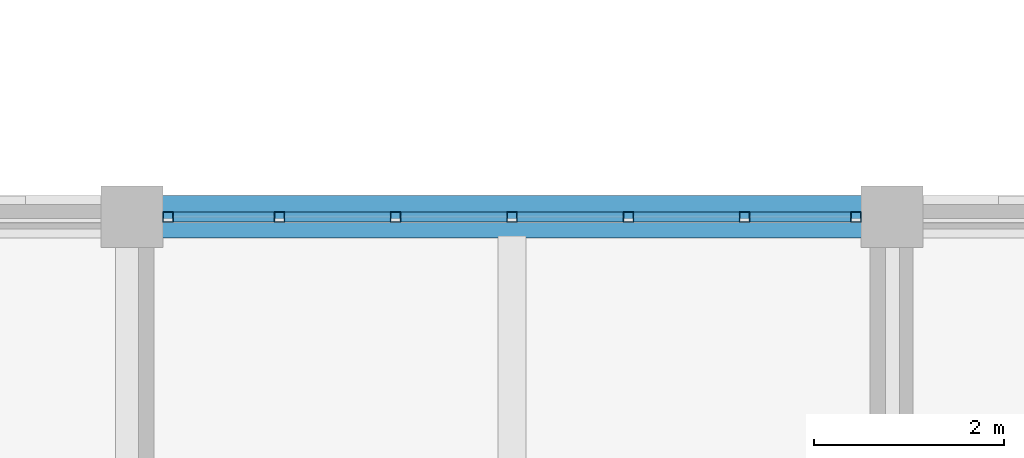
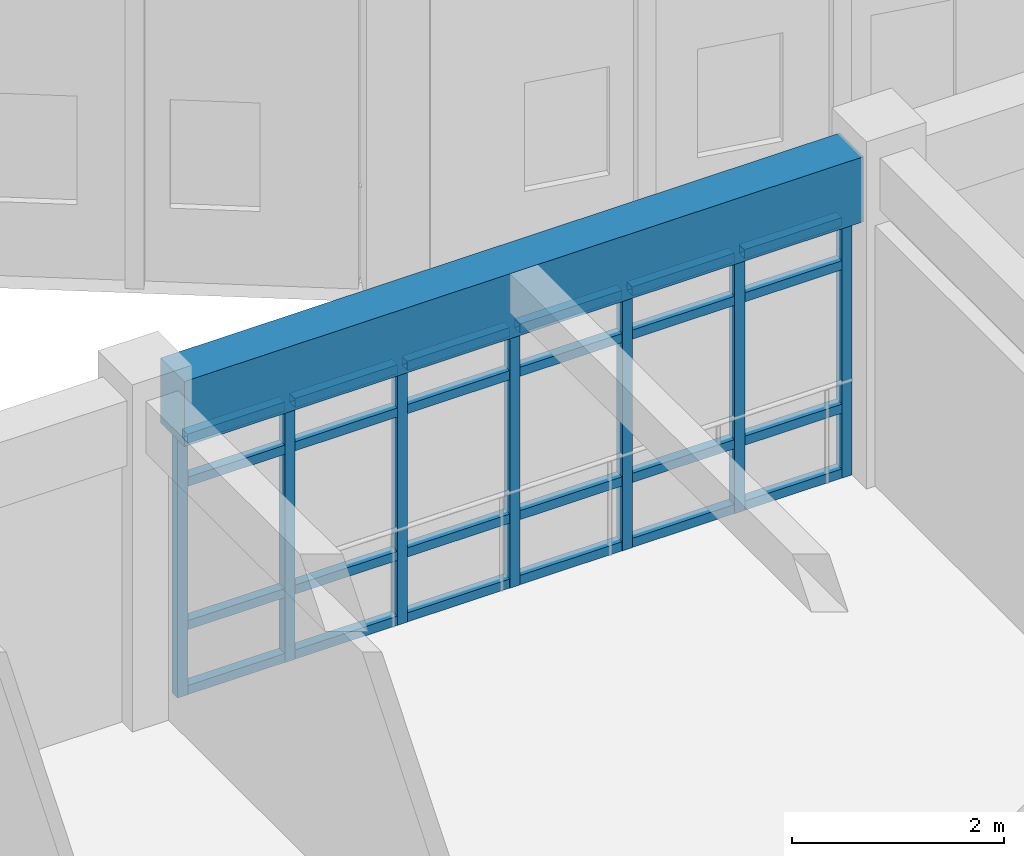
# One storey, part 56 of 149: 31 members, 1 beam, 1 element without a shape of its own.
"""IFC4 building model written with IfcOpenShell, lengths in metres."""

from ifc_helpers import new_model, si_unit, direction, frame, origin, origin_2d, place, context, subcontext, project, spatial, rectangle, hollow_rectangle, extrude, material, material_profile, profile_set, type_object, element, aggregate, save


model = new_model("IFC4")

# Units and contexts
model_context = context("Model", 3, precision=1e-05, world=origin(), true_north=direction((0.0, 1.0)))
body_context = subcontext(model_context, "Body", "Model", "MODEL_VIEW")
ifc_project = project(units=[si_unit("LENGTHUNIT", "METRE"), si_unit("AREAUNIT", "SQUARE_METRE"), si_unit("VOLUMEUNIT", "CUBIC_METRE"), si_unit("PLANEANGLEUNIT", "RADIAN"), si_unit("MASSUNIT", "GRAM", prefix="KILO")], contexts=[model_context])

# Site, building, storey
site_placement = place(None, origin())
site = spatial("IfcSite", under=ifc_project, at=site_placement, CompositionType="ELEMENT")
building_placement = place(site_placement, origin())
building = spatial("IfcBuilding", under=site, at=building_placement, Name="Celadon Cloister-Ring School", CompositionType="ELEMENT")
storey_placement = place(building_placement, frame((0.0, 0.0, 12.5)))
storey = spatial("IfcBuildingStorey", under=building, at=storey_placement, Name="L03", CompositionType="ELEMENT", Elevation=12.5)

# Curtain wall, members
ifc_material_1 = material(Name="Aluminium EN AW-6063 T6", Category="aluminium")
curtain_wall_type = type_object("IfcCurtainWallType", Name="CW-15", PredefinedType="USERDEFINED", material=ifc_material_1)
curtain_wall_placement = place(storey_placement, origin())
curtain_wall = element("IfcCurtainWall", 1, at=curtain_wall_placement, inside=storey, type_object=curtain_wall_type, Name="Curtain Wall 0203", ObjectType="CURTAIN WALL", PredefinedType="USERDEFINED")
ifc_material_2 = material(Name="Aluminium EN AW-6063 T6", Category="aluminium")
ifc_material_profile_1 = material_profile(ifc_material_2, hollow_rectangle(XDim=0.110107421875, YDim=0.110107421875, WallThickness=0.0048828125, at=origin_2d()), Name="RHS110X110X5")
ifc_profile_set_1 = profile_set([ifc_material_profile_1], Name="Aluminium EN AW-6063 T6")
member_type_1 = type_object("IfcMemberType", Name="CM-01", PredefinedType="MULLION", material=ifc_profile_set_1)
member_1_placement = place(storey_placement, frame((8.3798828125, 76.0, 0.0), z_axis=(0.0, 0.0, 1.0), x_axis=(0.0, 1.0, 0.0)))
member_1 = element("IfcMember", 2, at=member_1_placement, type_object=member_type_1, Name="CW-15 mullion 1", PredefinedType="MULLION", context=body_context, shape_type="SweptSolid", body=[
    extrude(hollow_rectangle(XDim=0.110107421875, YDim=0.110107421875, WallThickness=0.0048828125, at=origin_2d()), origin(), (0.0, 0.0, 1.0), 3.001953125),
])
member_2_placement = place(storey_placement, frame((9.550048828125, 76.0, 0.0), z_axis=(0.0, 0.0, 1.0), x_axis=(0.0, 1.0, 0.0)))
member_2 = element("IfcMember", 3, at=member_2_placement, type_object=member_type_1, Name="CW-15 mullion 2", PredefinedType="MULLION", context=body_context, shape_type="SweptSolid", body=[
    extrude(hollow_rectangle(XDim=0.110107421875, YDim=0.110107421875, WallThickness=0.0048828125, at=origin_2d()), origin(), (0.0, 0.0, 1.0), 3.001953125),
])
member_3_placement = place(storey_placement, frame((10.77490234375, 76.0, 0.0), z_axis=(0.0, 0.0, 1.0), x_axis=(0.0, 1.0, 0.0)))
member_3 = element("IfcMember", 4, at=member_3_placement, type_object=member_type_1, Name="CW-15 mullion 3", PredefinedType="MULLION", context=body_context, shape_type="SweptSolid", body=[
    extrude(hollow_rectangle(XDim=0.110107421875, YDim=0.110107421875, WallThickness=0.0048828125, at=origin_2d()), origin(), (0.0, 0.0, 1.0), 3.001953125),
])
member_4_placement = place(storey_placement, frame((12.0, 76.0, 0.0), z_axis=(0.0, 0.0, 1.0), x_axis=(0.0, 1.0, 0.0)))
member_4 = element("IfcMember", 5, at=member_4_placement, type_object=member_type_1, Name="CW-15 mullion 4", PredefinedType="MULLION", context=body_context, shape_type="SweptSolid", body=[
    extrude(hollow_rectangle(XDim=0.110107421875, YDim=0.110107421875, WallThickness=0.0048828125, at=origin_2d()), origin(), (0.0, 0.0, 1.0), 3.001953125),
])
member_5_placement = place(storey_placement, frame((13.22509765625, 76.0, 0.0), z_axis=(0.0, 0.0, 1.0), x_axis=(0.0, 1.0, 0.0)))
member_5 = element("IfcMember", 6, at=member_5_placement, type_object=member_type_1, Name="CW-15 mullion 5", PredefinedType="MULLION", context=body_context, shape_type="SweptSolid", body=[
    extrude(hollow_rectangle(XDim=0.110107421875, YDim=0.110107421875, WallThickness=0.0048828125, at=origin_2d()), origin(), (0.0, 0.0, 1.0), 3.001953125),
])
member_6_placement = place(storey_placement, frame((14.449951171875, 76.0, 0.0), z_axis=(0.0, 0.0, 1.0), x_axis=(0.0, 1.0, 0.0)))
member_6 = element("IfcMember", 7, at=member_6_placement, type_object=member_type_1, Name="CW-15 mullion 6", PredefinedType="MULLION", context=body_context, shape_type="SweptSolid", body=[
    extrude(hollow_rectangle(XDim=0.110107421875, YDim=0.110107421875, WallThickness=0.0048828125, at=origin_2d()), origin(), (0.0, 0.0, 1.0), 3.001953125),
])
member_7_placement = place(storey_placement, frame((15.6201171875, 76.0, 0.0), z_axis=(0.0, 0.0, 1.0), x_axis=(0.0, 1.0, 0.0)))
member_7 = element("IfcMember", 8, at=member_7_placement, type_object=member_type_1, Name="CW-15 mullion 7", PredefinedType="MULLION", context=body_context, shape_type="SweptSolid", body=[
    extrude(hollow_rectangle(XDim=0.110107421875, YDim=0.110107421875, WallThickness=0.0048828125, at=origin_2d()), origin(), (0.0, 0.0, 1.0), 3.001953125),
])
ifc_material_3 = material(Name="Aluminium EN AW-6063 T6", Category="aluminium")
ifc_material_profile_2 = material_profile(ifc_material_3, hollow_rectangle(XDim=0.10498046875, YDim=0.10498046875, WallThickness=0.0048828125, at=origin_2d()), Name="RHS105X105X5")
ifc_profile_set_2 = profile_set([ifc_material_profile_2], Name="Aluminium EN AW-6063 T6")
member_type_2 = type_object("IfcMemberType", Name="CTM-01", PredefinedType="USERDEFINED", material=ifc_profile_set_2)
member_8_placement = place(storey_placement, frame((8.43505859375, 76.0, 0.052490234375), z_axis=(1.0, 0.0, 0.0), x_axis=(0.0, 1.0, 0.0)))
member_8 = element("IfcMember", 9, at=member_8_placement, type_object=member_type_2, Name="CW-15 transom 1.1", ObjectType="TRANSOM", PredefinedType="USERDEFINED", context=body_context, shape_type="SweptSolid", body=[
    extrude(hollow_rectangle(XDim=0.10498046875, YDim=0.10498046875, WallThickness=0.0048828125, at=origin_2d()), origin(), (0.0, 0.0, 1.0), 1.06005859375),
])
member_9_placement = place(storey_placement, frame((8.43505859375, 76.0, 0.800048828125), z_axis=(1.0, 0.0, 0.0), x_axis=(0.0, 1.0, 0.0)))
member_9 = element("IfcMember", 10, at=member_9_placement, type_object=member_type_2, Name="CW-15 transom 1.2", ObjectType="TRANSOM", PredefinedType="USERDEFINED", context=body_context, shape_type="SweptSolid", body=[
    extrude(hollow_rectangle(XDim=0.10498046875, YDim=0.10498046875, WallThickness=0.0048828125, at=origin_2d()), origin(), (0.0, 0.0, 1.0), 1.06005859375),
])
member_10_placement = place(storey_placement, frame((8.43505859375, 76.0, 2.451904296875), z_axis=(1.0, 0.0, 0.0), x_axis=(0.0, 1.0, 0.0)))
member_10 = element("IfcMember", 11, at=member_10_placement, type_object=member_type_2, Name="CW-15 transom 1.3", ObjectType="TRANSOM", PredefinedType="USERDEFINED", context=body_context, shape_type="SweptSolid", body=[
    extrude(hollow_rectangle(XDim=0.10498046875, YDim=0.10498046875, WallThickness=0.0048828125, at=origin_2d()), origin(), (0.0, 0.0, 1.0), 1.06005859375),
])
member_11_placement = place(storey_placement, frame((8.43505859375, 76.0, 2.949462890625), z_axis=(1.0, 0.0, 0.0), x_axis=(0.0, 1.0, 0.0)))
member_11 = element("IfcMember", 12, at=member_11_placement, type_object=member_type_2, Name="CW-15 transom 1.4", ObjectType="TRANSOM", PredefinedType="USERDEFINED", context=body_context, shape_type="SweptSolid", body=[
    extrude(hollow_rectangle(XDim=0.10498046875, YDim=0.10498046875, WallThickness=0.0048828125, at=origin_2d()), origin(), (0.0, 0.0, 1.0), 1.06005859375),
])
member_12_placement = place(storey_placement, frame((9.60498046875, 76.0, 0.052490234375), z_axis=(1.0, 0.0, 0.0), x_axis=(0.0, 1.0, 0.0)))
member_12 = element("IfcMember", 13, at=member_12_placement, type_object=member_type_2, Name="CW-15 transom 2.1", ObjectType="TRANSOM", PredefinedType="USERDEFINED", context=body_context, shape_type="SweptSolid", body=[
    extrude(hollow_rectangle(XDim=0.10498046875, YDim=0.10498046875, WallThickness=0.0048828125, at=origin_2d()), origin(), (0.0, 0.0, 1.0), 1.114990234375),
])
member_13_placement = place(storey_placement, frame((9.60498046875, 76.0, 0.800048828125), z_axis=(1.0, 0.0, 0.0), x_axis=(0.0, 1.0, 0.0)))
member_13 = element("IfcMember", 14, at=member_13_placement, type_object=member_type_2, Name="CW-15 transom 2.2", ObjectType="TRANSOM", PredefinedType="USERDEFINED", context=body_context, shape_type="SweptSolid", body=[
    extrude(hollow_rectangle(XDim=0.10498046875, YDim=0.10498046875, WallThickness=0.0048828125, at=origin_2d()), origin(), (0.0, 0.0, 1.0), 1.114990234375),
])
member_14_placement = place(storey_placement, frame((9.60498046875, 76.0, 2.451904296875), z_axis=(1.0, 0.0, 0.0), x_axis=(0.0, 1.0, 0.0)))
member_14 = element("IfcMember", 15, at=member_14_placement, type_object=member_type_2, Name="CW-15 transom 2.3", ObjectType="TRANSOM", PredefinedType="USERDEFINED", context=body_context, shape_type="SweptSolid", body=[
    extrude(hollow_rectangle(XDim=0.10498046875, YDim=0.10498046875, WallThickness=0.0048828125, at=origin_2d()), origin(), (0.0, 0.0, 1.0), 1.114990234375),
])
member_15_placement = place(storey_placement, frame((9.60498046875, 76.0, 2.949462890625), z_axis=(1.0, 0.0, 0.0), x_axis=(0.0, 1.0, 0.0)))
member_15 = element("IfcMember", 16, at=member_15_placement, type_object=member_type_2, Name="CW-15 transom 2.4", ObjectType="TRANSOM", PredefinedType="USERDEFINED", context=body_context, shape_type="SweptSolid", body=[
    extrude(hollow_rectangle(XDim=0.10498046875, YDim=0.10498046875, WallThickness=0.0048828125, at=origin_2d()), origin(), (0.0, 0.0, 1.0), 1.114990234375),
])
member_16_placement = place(storey_placement, frame((10.830078125, 76.0, 0.052490234375), z_axis=(1.0, 0.0, 0.0), x_axis=(0.0, 1.0, 0.0)))
member_16 = element("IfcMember", 17, at=member_16_placement, type_object=member_type_2, Name="CW-15 transom 3.1", ObjectType="TRANSOM", PredefinedType="USERDEFINED", context=body_context, shape_type="SweptSolid", body=[
    extrude(hollow_rectangle(XDim=0.10498046875, YDim=0.10498046875, WallThickness=0.0048828125, at=origin_2d()), origin(), (0.0, 0.0, 1.0), 1.114990234375),
])
member_17_placement = place(storey_placement, frame((10.830078125, 76.0, 0.800048828125), z_axis=(1.0, 0.0, 0.0), x_axis=(0.0, 1.0, 0.0)))
member_17 = element("IfcMember", 18, at=member_17_placement, type_object=member_type_2, Name="CW-15 transom 3.2", ObjectType="TRANSOM", PredefinedType="USERDEFINED", context=body_context, shape_type="SweptSolid", body=[
    extrude(hollow_rectangle(XDim=0.10498046875, YDim=0.10498046875, WallThickness=0.0048828125, at=origin_2d()), origin(), (0.0, 0.0, 1.0), 1.114990234375),
])
member_18_placement = place(storey_placement, frame((10.830078125, 76.0, 2.451904296875), z_axis=(1.0, 0.0, 0.0), x_axis=(0.0, 1.0, 0.0)))
member_18 = element("IfcMember", 19, at=member_18_placement, type_object=member_type_2, Name="CW-15 transom 3.3", ObjectType="TRANSOM", PredefinedType="USERDEFINED", context=body_context, shape_type="SweptSolid", body=[
    extrude(hollow_rectangle(XDim=0.10498046875, YDim=0.10498046875, WallThickness=0.0048828125, at=origin_2d()), origin(), (0.0, 0.0, 1.0), 1.114990234375),
])
member_19_placement = place(storey_placement, frame((10.830078125, 76.0, 2.949462890625), z_axis=(1.0, 0.0, 0.0), x_axis=(0.0, 1.0, 0.0)))
member_19 = element("IfcMember", 20, at=member_19_placement, type_object=member_type_2, Name="CW-15 transom 3.4", ObjectType="TRANSOM", PredefinedType="USERDEFINED", context=body_context, shape_type="SweptSolid", body=[
    extrude(hollow_rectangle(XDim=0.10498046875, YDim=0.10498046875, WallThickness=0.0048828125, at=origin_2d()), origin(), (0.0, 0.0, 1.0), 1.114990234375),
])
member_20_placement = place(storey_placement, frame((12.054931640625, 76.0, 0.052490234375), z_axis=(1.0, 0.0, 0.0), x_axis=(0.0, 1.0, 0.0)))
member_20 = element("IfcMember", 21, at=member_20_placement, type_object=member_type_2, Name="CW-15 transom 4.1", ObjectType="TRANSOM", PredefinedType="USERDEFINED", context=body_context, shape_type="SweptSolid", body=[
    extrude(hollow_rectangle(XDim=0.10498046875, YDim=0.10498046875, WallThickness=0.0048828125, at=origin_2d()), origin(), (0.0, 0.0, 1.0), 1.114990234375),
])
member_21_placement = place(storey_placement, frame((12.054931640625, 76.0, 0.800048828125), z_axis=(1.0, 0.0, 0.0), x_axis=(0.0, 1.0, 0.0)))
member_21 = element("IfcMember", 22, at=member_21_placement, type_object=member_type_2, Name="CW-15 transom 4.2", ObjectType="TRANSOM", PredefinedType="USERDEFINED", context=body_context, shape_type="SweptSolid", body=[
    extrude(hollow_rectangle(XDim=0.10498046875, YDim=0.10498046875, WallThickness=0.0048828125, at=origin_2d()), origin(), (0.0, 0.0, 1.0), 1.114990234375),
])
member_22_placement = place(storey_placement, frame((12.054931640625, 76.0, 2.451904296875), z_axis=(1.0, 0.0, 0.0), x_axis=(0.0, 1.0, 0.0)))
member_22 = element("IfcMember", 23, at=member_22_placement, type_object=member_type_2, Name="CW-15 transom 4.3", ObjectType="TRANSOM", PredefinedType="USERDEFINED", context=body_context, shape_type="SweptSolid", body=[
    extrude(hollow_rectangle(XDim=0.10498046875, YDim=0.10498046875, WallThickness=0.0048828125, at=origin_2d()), origin(), (0.0, 0.0, 1.0), 1.114990234375),
])
member_23_placement = place(storey_placement, frame((12.054931640625, 76.0, 2.949462890625), z_axis=(1.0, 0.0, 0.0), x_axis=(0.0, 1.0, 0.0)))
member_23 = element("IfcMember", 24, at=member_23_placement, type_object=member_type_2, Name="CW-15 transom 4.4", ObjectType="TRANSOM", PredefinedType="USERDEFINED", context=body_context, shape_type="SweptSolid", body=[
    extrude(hollow_rectangle(XDim=0.10498046875, YDim=0.10498046875, WallThickness=0.0048828125, at=origin_2d()), origin(), (0.0, 0.0, 1.0), 1.114990234375),
])
member_24_placement = place(storey_placement, frame((13.280029296875, 76.0, 0.052490234375), z_axis=(1.0, 0.0, 0.0), x_axis=(0.0, 1.0, 0.0)))
member_24 = element("IfcMember", 25, at=member_24_placement, type_object=member_type_2, Name="CW-15 transom 5.1", ObjectType="TRANSOM", PredefinedType="USERDEFINED", context=body_context, shape_type="SweptSolid", body=[
    extrude(hollow_rectangle(XDim=0.10498046875, YDim=0.10498046875, WallThickness=0.0048828125, at=origin_2d()), origin(), (0.0, 0.0, 1.0), 1.114990234375),
])
member_25_placement = place(storey_placement, frame((13.280029296875, 76.0, 0.800048828125), z_axis=(1.0, 0.0, 0.0), x_axis=(0.0, 1.0, 0.0)))
member_25 = element("IfcMember", 26, at=member_25_placement, type_object=member_type_2, Name="CW-15 transom 5.2", ObjectType="TRANSOM", PredefinedType="USERDEFINED", context=body_context, shape_type="SweptSolid", body=[
    extrude(hollow_rectangle(XDim=0.10498046875, YDim=0.10498046875, WallThickness=0.0048828125, at=origin_2d()), origin(), (0.0, 0.0, 1.0), 1.114990234375),
])
member_26_placement = place(storey_placement, frame((13.280029296875, 76.0, 2.451904296875), z_axis=(1.0, 0.0, 0.0), x_axis=(0.0, 1.0, 0.0)))
member_26 = element("IfcMember", 27, at=member_26_placement, type_object=member_type_2, Name="CW-15 transom 5.3", ObjectType="TRANSOM", PredefinedType="USERDEFINED", context=body_context, shape_type="SweptSolid", body=[
    extrude(hollow_rectangle(XDim=0.10498046875, YDim=0.10498046875, WallThickness=0.0048828125, at=origin_2d()), origin(), (0.0, 0.0, 1.0), 1.114990234375),
])
member_27_placement = place(storey_placement, frame((13.280029296875, 76.0, 2.949462890625), z_axis=(1.0, 0.0, 0.0), x_axis=(0.0, 1.0, 0.0)))
member_27 = element("IfcMember", 28, at=member_27_placement, type_object=member_type_2, Name="CW-15 transom 5.4", ObjectType="TRANSOM", PredefinedType="USERDEFINED", context=body_context, shape_type="SweptSolid", body=[
    extrude(hollow_rectangle(XDim=0.10498046875, YDim=0.10498046875, WallThickness=0.0048828125, at=origin_2d()), origin(), (0.0, 0.0, 1.0), 1.114990234375),
])
member_28_placement = place(storey_placement, frame((14.5048828125, 76.0, 0.052490234375), z_axis=(1.0, 0.0, 0.0), x_axis=(0.0, 1.0, 0.0)))
member_28 = element("IfcMember", 29, at=member_28_placement, type_object=member_type_2, Name="CW-15 transom 6.1", ObjectType="TRANSOM", PredefinedType="USERDEFINED", context=body_context, shape_type="SweptSolid", body=[
    extrude(hollow_rectangle(XDim=0.10498046875, YDim=0.10498046875, WallThickness=0.0048828125, at=origin_2d()), origin(), (0.0, 0.0, 1.0), 1.06005859375),
])
member_29_placement = place(storey_placement, frame((14.5048828125, 76.0, 0.800048828125), z_axis=(1.0, 0.0, 0.0), x_axis=(0.0, 1.0, 0.0)))
member_29 = element("IfcMember", 30, at=member_29_placement, type_object=member_type_2, Name="CW-15 transom 6.2", ObjectType="TRANSOM", PredefinedType="USERDEFINED", context=body_context, shape_type="SweptSolid", body=[
    extrude(hollow_rectangle(XDim=0.10498046875, YDim=0.10498046875, WallThickness=0.0048828125, at=origin_2d()), origin(), (0.0, 0.0, 1.0), 1.06005859375),
])
member_30_placement = place(storey_placement, frame((14.5048828125, 76.0, 2.451904296875), z_axis=(1.0, 0.0, 0.0), x_axis=(0.0, 1.0, 0.0)))
member_30 = element("IfcMember", 31, at=member_30_placement, type_object=member_type_2, Name="CW-15 transom 6.3", ObjectType="TRANSOM", PredefinedType="USERDEFINED", context=body_context, shape_type="SweptSolid", body=[
    extrude(hollow_rectangle(XDim=0.10498046875, YDim=0.10498046875, WallThickness=0.0048828125, at=origin_2d()), origin(), (0.0, 0.0, 1.0), 1.06005859375),
])
member_31_placement = place(storey_placement, frame((14.5048828125, 76.0, 2.949462890625), z_axis=(1.0, 0.0, 0.0), x_axis=(0.0, 1.0, 0.0)))
member_31 = element("IfcMember", 32, at=member_31_placement, type_object=member_type_2, Name="CW-15 transom 6.4", ObjectType="TRANSOM", PredefinedType="USERDEFINED", context=body_context, shape_type="SweptSolid", body=[
    extrude(hollow_rectangle(XDim=0.10498046875, YDim=0.10498046875, WallThickness=0.0048828125, at=origin_2d()), origin(), (0.0, 0.0, 1.0), 1.06005859375),
])
aggregate(curtain_wall, [member_1, member_2, member_3, member_4, member_5, member_6, member_7, member_8, member_9, member_10, member_11, member_12, member_13, member_14, member_15, member_16, member_17, member_18, member_19, member_20, member_21, member_22, member_23, member_24, member_25, member_26, member_27, member_28, member_29, member_30, member_31])

# Beam
ifc_material_4 = material(Name="Concrete C35/45", Category="concrete")
ifc_material_profile_3 = material_profile(ifc_material_4, rectangle(XDim=0.449951171875, YDim=0.75, at=origin_2d()), Name="RC450X750")
ifc_profile_set_3 = profile_set([ifc_material_profile_3], Name="Concrete C35/45")
beam_type = type_object("IfcBeamType", Name="GT-02", PredefinedType="USERDEFINED", material=ifc_profile_set_3)
beam_placement = place(storey_placement, frame((8.300048828125, 76.0, 3.385009765625), z_axis=(1.0, 0.0, 0.0), x_axis=(0.0, 1.0, 0.0)))
element("IfcBeam", 33, at=beam_placement, inside=storey, type_object=beam_type, Name="Beam 1617", ObjectType="GIRDER", PredefinedType="USERDEFINED", context=body_context, shape_type="SweptSolid", body=[
    extrude(rectangle(XDim=0.449951171875, YDim=0.75, at=origin_2d()), origin(), (0.0, 0.0, 1.0), 7.39990234375),
])

save(model, "model.ifc")
